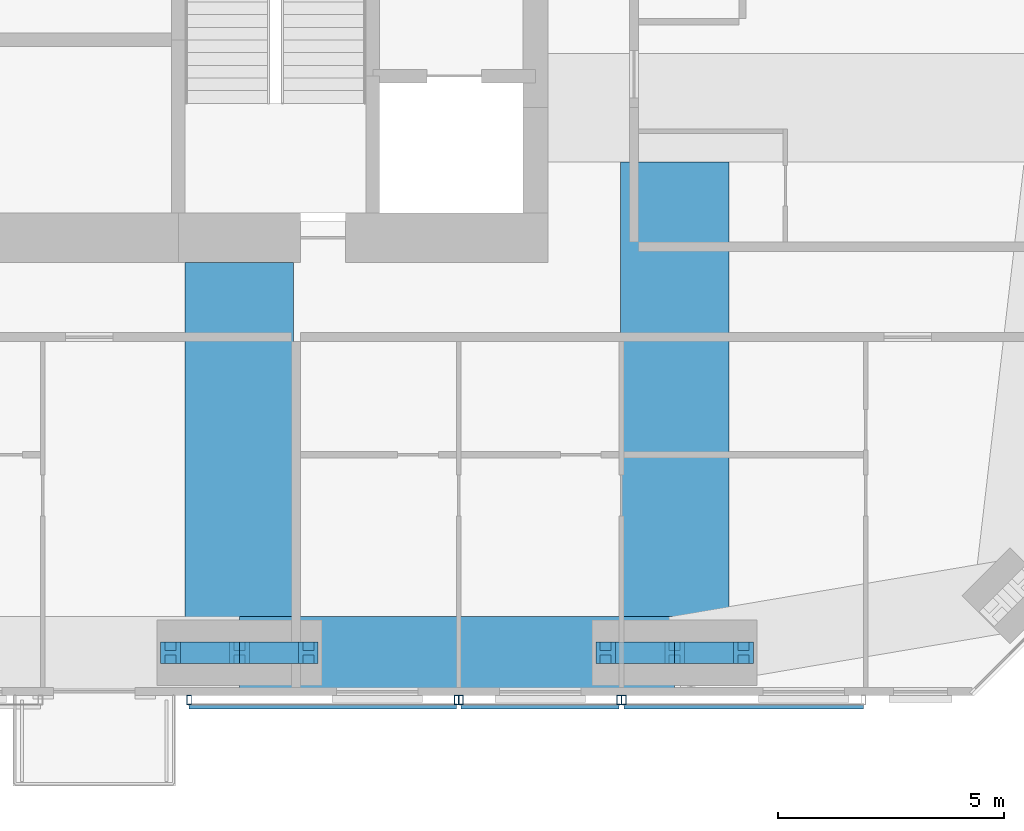
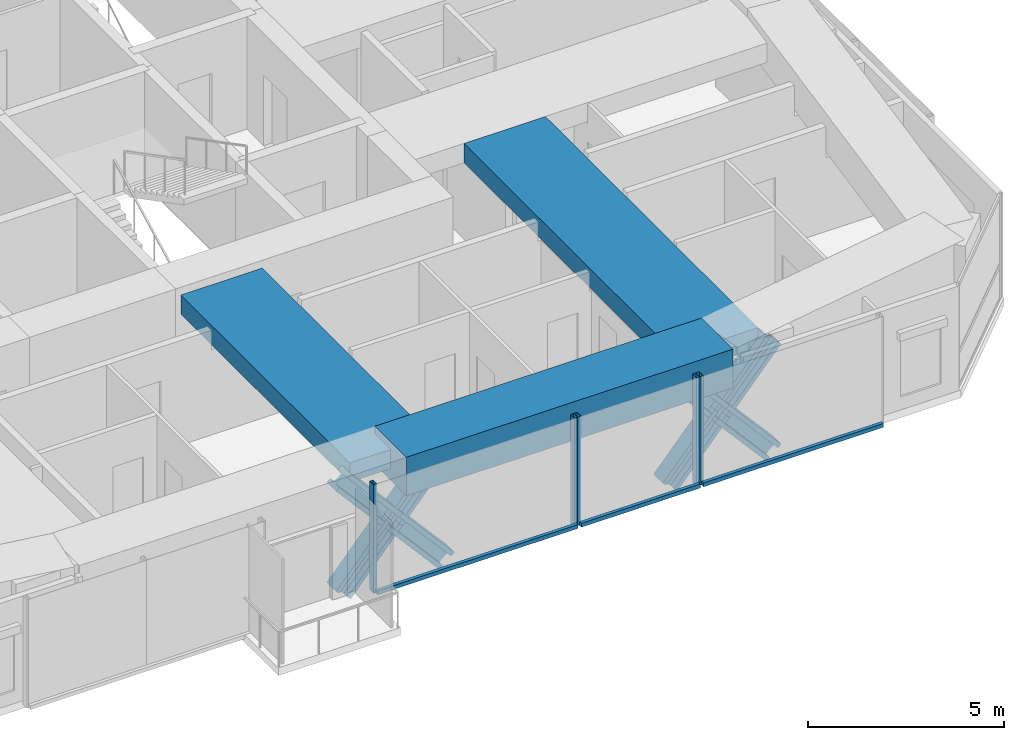
# One storey, part 4 of 18: 16 members, 3 beams, 3 elements without a shape of their own.
"""IFC4 building model written with IfcOpenShell, lengths in metres."""

import ifcopenshell
import ifcopenshell.guid

model = None  # the IFC model being written
_history = None  # IfcOwnerHistory: only IFC2X3 demands one
_inside = {}  # id of a spatial element -> (the spatial element, [elements in it])
_under = {}  # id of a project, library or spatial element -> (it, [spatial elements below it])
_declared = {}  # id of a project -> (the project, [libraries it declares])
_typed = {}  # id of a type object -> (the type object, [elements of that type])
_made_of = {}  # id of a material, layer set ... -> (it, [elements and type objects made of it])


def new_model(schema):
    """Start an empty IFC model of exactly this schema.

    Asked for "IFC4X3", IfcOpenShell would pick the latest addendum, in which some entities
    have other attributes; the version numbers below select the first issue.
    IFC2X3 requires an IfcOwnerHistory on every rooted entity: one is made here for all.
    """
    global model, _history
    if schema == "IFC4X3":
        model = ifcopenshell.file(schema_version=(4, 3, 0, 0))
    else:
        model = ifcopenshell.file(schema=schema)
    _inside.clear()
    _under.clear()
    _declared.clear()
    _typed.clear()
    _made_of.clear()
    _history = None
    if model.schema == "IFC2X3":
        org = make("IfcOrganization", Name="unknown")
        user = make(
            "IfcPersonAndOrganization",
            ThePerson=make("IfcPerson", FamilyName="unknown"),
            TheOrganization=org,
        )
        app = make(
            "IfcApplication",
            ApplicationDeveloper=org,
            Version="unknown",
            ApplicationFullName="unknown",
            ApplicationIdentifier="unknown",
        )
        _history = make(
            "IfcOwnerHistory",
            OwningUser=user,
            OwningApplication=app,
            ChangeAction="ADDED",
            CreationDate=0,
        )
    return model


def make(cls, **values):
    """One entity of the class cls with the attributes given. An attribute that is None is left unset."""
    return model.create_entity(
        cls, **{name: value for name, value in values.items() if value is not None}
    )


def rooted(cls, **values):
    """An entity with a GlobalId (a new one), such as an element, a storey or a relation."""
    return make(cls, GlobalId=ifcopenshell.guid.new(), OwnerHistory=_history, **values)


def si_unit(unit_type, name, prefix=None):
    """IfcSIUnit, for example si_unit("LENGTHUNIT", "METRE", prefix="MILLI")."""
    return make("IfcSIUnit", UnitType=unit_type, Prefix=prefix, Name=name)


def assignment(units):
    """IfcUnitAssignment: the units of a project."""
    return None if units is None else make("IfcUnitAssignment", Units=units)


def point(xyz):
    """IfcCartesianPoint."""
    return None if xyz is None else make("IfcCartesianPoint", Coordinates=xyz)


def direction(xyz):
    """IfcDirection."""
    return None if xyz is None else make("IfcDirection", DirectionRatios=xyz)


def frame(location, z_axis=None, x_axis=None):
    """IfcAxis2Placement3D, a coordinate frame: its origin and axes. An axis left out is left unset."""
    return make(
        "IfcAxis2Placement3D",
        Location=point(location),
        Axis=direction(z_axis),
        RefDirection=direction(x_axis),
    )


def frame_2d(location, x_axis=None):
    """IfcAxis2Placement2D, a coordinate frame in the plane: its origin and x axis."""
    return make(
        "IfcAxis2Placement2D", Location=point(location), RefDirection=direction(x_axis)
    )


def origin():
    """The frame at (0, 0, 0) with its axes left unset."""
    return frame((0.0, 0.0, 0.0))


def origin_2d():
    """The frame at (0, 0) in the plane with its x axis left unset."""
    return frame_2d((0.0, 0.0))


def place(relative_to, where):
    """IfcLocalPlacement: puts the frame where relative to a parent placement (None: the world)."""
    return make(
        "IfcLocalPlacement", PlacementRelTo=relative_to, RelativePlacement=where
    )


def context(
    kind, dimensions, precision=None, world=None, true_north=None, identifier=None
):
    """IfcGeometricRepresentationContext, for example the 3D "Model" context."""
    return make(
        "IfcGeometricRepresentationContext",
        ContextIdentifier=identifier,
        ContextType=kind,
        CoordinateSpaceDimension=dimensions,
        Precision=precision,
        WorldCoordinateSystem=world,
        TrueNorth=true_north,
    )


def subcontext(parent, identifier, kind, view, scale=None):
    """IfcGeometricRepresentationSubContext, for example "Body" below "Model"."""
    return make(
        "IfcGeometricRepresentationSubContext",
        ContextIdentifier=identifier,
        ContextType=kind,
        ParentContext=parent,
        TargetScale=scale,
        TargetView=view,
    )


def project(units=None, contexts=None):
    """IfcProject with its units and contexts."""
    return rooted(
        "IfcProject",
        Name="project",
        RepresentationContexts=contexts,
        UnitsInContext=assignment(units),
    )


def spatial(cls, under=None, at=None, **own):
    """A site, building, storey or space (cls), placed at a placement, below another one or the project."""
    s = rooted(cls, ObjectPlacement=at, **own)
    if under is not None:
        _under.setdefault(under.id(), (under, []))[1].append(s)
    return s


def profile(cls, at=None, kind="AREA", **sizes):
    """A parametric profile (cls). Its sizes go by their IFC names, for example OverallWidth=200.0."""
    return make(cls, ProfileType=kind, Position=at, **sizes)


def rectangle(**sizes):
    """IfcRectangleProfileDef."""
    return profile("IfcRectangleProfileDef", **sizes)


def hollow_rectangle(**sizes):
    """IfcRectangleHollowProfileDef."""
    return profile("IfcRectangleHollowProfileDef", **sizes)


def i_section(**sizes):
    """IfcIShapeProfileDef."""
    return profile("IfcIShapeProfileDef", **sizes)


def extrude(swept, where, along, depth):
    """IfcExtrudedAreaSolid: the profile swept, set in the frame where, extruded along a direction by depth."""
    return make(
        "IfcExtrudedAreaSolid",
        SweptArea=swept,
        Position=where,
        ExtrudedDirection=direction(along),
        Depth=depth,
    )


def shape(context_of_items, identifier, shape_type, items):
    """IfcShapeRepresentation: the items that make up one representation, for example the "Body"."""
    return make(
        "IfcShapeRepresentation",
        ContextOfItems=context_of_items,
        RepresentationIdentifier=identifier,
        RepresentationType=shape_type,
        Items=items,
    )


def material(Name=None, Category=None):
    """IfcMaterial."""
    return make("IfcMaterial", Name=Name, Category=Category)


def material_profile(
    of_material, cross_section, Name=None, Category=None, Priority=None
):
    """IfcMaterialProfile: a cross section and its material."""
    return make(
        "IfcMaterialProfile",
        Name=Name,
        Material=of_material,
        Profile=cross_section,
        Priority=Priority,
        Category=Category,
    )


def profile_set(profiles, Name=None, composite=None):
    """IfcMaterialProfileSet."""
    return make(
        "IfcMaterialProfileSet",
        Name=Name,
        MaterialProfiles=profiles,
        CompositeProfile=composite,
    )


def made_of(thing, what):
    """Note that an element or type object is made of a material, layer set ...; save() writes the relation."""
    if what is not None:
        _made_of.setdefault(what.id(), (what, []))[1].append(thing)
    return thing


def type_object(cls, material=None, **own):
    """A type object (cls), such as IfcWallType, which elements share."""
    return made_of(rooted(cls, **own), material)


def element(
    cls,
    number,
    at=None,
    inside=None,
    cuts=None,
    type_object=None,
    material=None,
    context=None,
    identifier="Body",
    shape_type=None,
    held_by="IfcProductDefinitionShape",
    body=None,
    shapes=None,
    **own,
):
    """One element of the class cls, such as IfcWall. Its Tag is "e" and its number.

    at: its placement. inside: the storey or other place that contains it. cuts: it is an
    opening in that element (IfcRelVoidsElement). A single representation is given by context,
    identifier, shape_type and body (its items); several are given by shapes. held_by: the class
    of the entity that holds the representations. save() writes the other relations.
    """
    e = rooted(cls, Tag="e%d" % number, ObjectPlacement=at, **own)
    if body is not None:
        shapes = [shape(context, identifier, shape_type, body)]
    if shapes is not None:
        e.Representation = make(held_by, Representations=shapes)
    if inside is not None:
        _inside.setdefault(inside.id(), (inside, []))[1].append(e)
    if cuts is not None:
        rooted(
            "IfcRelVoidsElement", RelatingBuildingElement=cuts, RelatedOpeningElement=e
        )
    if type_object is not None:
        _typed.setdefault(type_object.id(), (type_object, []))[1].append(e)
    return made_of(e, material)


def aggregate(whole, parts):
    """IfcRelAggregates: a whole, such as a stair, and the parts it consists of."""
    return rooted("IfcRelAggregates", RelatingObject=whole, RelatedObjects=parts)


def save(model, path):
    """Write the relations noted so far, then the file.

    IfcRelAggregates (storeys below a building ...), IfcRelContainedInSpatialStructure (elements
    in a storey), IfcRelDefinesByType, IfcRelAssociatesMaterial and IfcRelDeclares: one each for
    every whole, place, type object, material and project.
    """
    for whole, parts in _under.values():
        aggregate(whole, parts)
    for where, things in _inside.values():
        rooted(
            "IfcRelContainedInSpatialStructure",
            RelatedElements=things,
            RelatingStructure=where,
        )
    for kind, things in _typed.values():
        rooted("IfcRelDefinesByType", RelatedObjects=things, RelatingType=kind)
    for what, things in _made_of.values():
        rooted("IfcRelAssociatesMaterial", RelatedObjects=things, RelatingMaterial=what)
    for by, libraries in _declared.values():
        rooted("IfcRelDeclares", RelatingContext=by, RelatedDefinitions=libraries)
    model.write(path)


model = new_model("IFC4")

# Units and contexts
model_context = context("Model", 3, precision=1e-05, world=origin(), true_north=direction((0.0, 1.0)))
body_context = subcontext(model_context, "Body", "Model", "MODEL_VIEW")
ifc_project = project(units=[si_unit("LENGTHUNIT", "METRE"), si_unit("AREAUNIT", "SQUARE_METRE"), si_unit("VOLUMEUNIT", "CUBIC_METRE"), si_unit("PLANEANGLEUNIT", "RADIAN"), si_unit("MASSUNIT", "GRAM", prefix="KILO")], contexts=[model_context])

# Site, building, storey
site_placement = place(None, origin())
site = spatial("IfcSite", under=ifc_project, at=site_placement, CompositionType="ELEMENT")
building_placement = place(site_placement, origin())
building = spatial("IfcBuilding", under=site, at=building_placement, Name="Jalousie Tower", CompositionType="ELEMENT")
storey_placement = place(building_placement, frame((0.0, 0.0, 228.449951171875)))
storey = spatial("IfcBuildingStorey", under=building, at=storey_placement, Name="L62", CompositionType="ELEMENT", Elevation=228.449951171875)

# Members
ifc_material_1 = material(Name="Steel ASTM A992 Grade 50", Category="steel")
ifc_material_profile_1 = material_profile(ifc_material_1, i_section(OverallWidth=0.472412109375, OverallDepth=0.5791015625, WebThickness=0.094970703125, FlangeThickness=0.1298828125, at=origin_2d()), Name="W14X808")
ifc_profile_set_1 = profile_set([ifc_material_profile_1], Name="Steel ASTM A992 Grade 50")
member_type_1 = type_object("IfcMemberType", Name="PERIMETER BRACE W14X808", PredefinedType="BRACE", material=ifc_profile_set_1)
for number, where, z_axis, x_axis, name in (
    (1, (35.72509765625, 0.949951171875, -0.599853515625), (0.65695436777, 0.0, 0.753930340726), (0.0, 1.0, 0.0), "Perimeter brace 03 L62 part 1"),
    (2, (37.25, 0.949951171875, 1.150146484375), (0.65695436777, 0.0, 0.753930340726), (0.0, 1.0, 0.0), "Perimeter brace 03 L62 part 2"),
    (3, (38.77490234375, 0.949951171875, -0.599853515625), (-0.65695436777, 0.0, 0.753930340726), (0.0, -1.0, 0.0), "Perimeter brace 03 L62 part 3"),
    (4, (37.25, 0.949951171875, 1.150146484375), (-0.65695436777, 0.0, 0.753930340726), (0.0, -1.0, 0.0), "Perimeter brace 03 L62 part 4"),
    (5, (45.35009765625, 0.949951171875, -0.599853515625), (0.65695436777, 0.0, 0.753930340726), (0.0, 1.0, 0.0), "Perimeter brace 04 L62 part 1"),
    (6, (46.875, 0.949951171875, 1.150146484375), (0.65695436777, 0.0, 0.753930340726), (0.0, 1.0, 0.0), "Perimeter brace 04 L62 part 2"),
    (7, (48.39990234375, 0.949951171875, -0.599853515625), (-0.65695436777, 0.0, 0.753930340726), (0.0, -1.0, 0.0), "Perimeter brace 04 L62 part 3"),
    (8, (46.875, 0.949951171875, 1.150146484375), (-0.65695436777, 0.0, 0.753930340726), (0.0, -1.0, 0.0), "Perimeter brace 04 L62 part 4"),
):
    element("IfcMember", number, at=place(storey_placement, frame(where, z_axis=z_axis, x_axis=x_axis)), inside=storey, type_object=member_type_1, Name=name, PredefinedType="BRACE", context=body_context, shape_type="SweptSolid", body=[
        extrude(i_section(OverallWidth=0.472412109375, OverallDepth=0.5791015625, WebThickness=0.094970703125, FlangeThickness=0.1298828125, at=origin_2d()), origin(), (0.0, 0.0, 1.0), 2.3212890625),
    ])

# Beams
ifc_material_2 = material(Name="Concrete f'c 40 MPa", Category="concrete")
ifc_material_profile_2 = material_profile(ifc_material_2, rectangle(XDim=1.60009765625, YDim=1.199951171875, at=origin_2d()), Name="RC 1600x1200")
ifc_profile_set_2 = profile_set([ifc_material_profile_2], Name="Concrete f'c 40 MPa")
beam_type_1 = type_object("IfcBeamType", Name="RC BEAM 1600x1200", PredefinedType="BEAM", material=ifc_profile_set_2)
beam_1_placement = place(storey_placement, frame((37.25, 0.949951171875, 2.900146484375), z_axis=(1.0, 0.0, 0.0), x_axis=(0.0, 1.0, 0.0)))
element("IfcBeam", 9, at=beam_1_placement, inside=storey, type_object=beam_type_1, Name="Edge band beam 03-04 under L63", PredefinedType="BEAM", context=body_context, shape_type="SweptSolid", body=[
    extrude(rectangle(XDim=1.60009765625, YDim=1.199951171875, at=origin_2d()), origin(), (0.0, 0.0, 1.0), 9.625),
])
ifc_material_3 = material(Name="Concrete f'c 40 MPa", Category="concrete")
ifc_material_profile_3 = material_profile(ifc_material_3, rectangle(XDim=2.39990234375, YDim=0.60009765625, at=origin_2d()), Name="RC 2400x600")
ifc_profile_set_3 = profile_set([ifc_material_profile_3], Name="Concrete f'c 40 MPa")
beam_type_2 = type_object("IfcBeamType", Name="RC BEAM 2400x600", PredefinedType="BEAM", material=ifc_profile_set_3)
beam_2_placement = place(storey_placement, frame((37.25, 0.949951171875, 2.9599609375), z_axis=(0.0, 1.0, 0.0), x_axis=(-1.0, 0.0, 0.0)))
element("IfcBeam", 10, at=beam_2_placement, inside=storey, type_object=beam_type_2, Name="Floor band beam under L63", PredefinedType="BEAM", context=body_context, shape_type="SweptSolid", body=[
    extrude(rectangle(XDim=2.39990234375, YDim=0.60009765625, at=origin_2d()), origin(), (0.0, 0.0, 1.0), 8.625),
])
beam_3_placement = place(storey_placement, frame((46.875, 0.949951171875, 2.9599609375), z_axis=(0.0, 1.0, 0.0), x_axis=(-1.0, 0.0, 0.0)))
element("IfcBeam", 11, at=beam_3_placement, inside=storey, type_object=beam_type_2, Name="Floor band beam under L63", PredefinedType="BEAM", context=body_context, shape_type="SweptSolid", body=[
    extrude(rectangle(XDim=2.39990234375, YDim=0.60009765625, at=origin_2d()), origin(), (0.0, 0.0, 1.0), 10.85009765625),
])

# Curtain wall, members
ifc_material_4 = material(Name="Perforated aluminium sheet", Category="aluminium")
curtain_wall_type = type_object("IfcCurtainWallType", Name="SOLAR SCREEN SS-2", PredefinedType="USERDEFINED", material=ifc_material_4)
curtain_wall_1_placement = place(storey_placement, origin())
curtain_wall_1 = element("IfcCurtainWall", 12, at=curtain_wall_1_placement, inside=storey, type_object=curtain_wall_type, Name="Solar screen L62", ObjectType="SOLAR SCREEN SS-2", PredefinedType="USERDEFINED")
ifc_material_5 = material(Name="Steel ASTM A500 Grade C", Category="steel")
ifc_material_profile_4 = material_profile(ifc_material_5, hollow_rectangle(XDim=0.1015625, YDim=0.203125, WallThickness=0.0078125, at=origin_2d()), Name="HSS8X4X5/16")
ifc_profile_set_4 = profile_set([ifc_material_profile_4], Name="Steel ASTM A500 Grade C")
member_type_2 = type_object("IfcMemberType", Name="SOLAR SCREEN SS-2 MULLION", PredefinedType="MULLION", material=ifc_profile_set_4)
member_1_placement = place(storey_placement, frame((36.139892578125, -0.0966796875, -0.119873046875), z_axis=(0.0, 0.0, 1.0), x_axis=(1.0, 0.0, 0.0)))
member_1 = element("IfcMember", 13, at=member_1_placement, type_object=member_type_2, Name="SS2 post 1", PredefinedType="MULLION", context=body_context, shape_type="SweptSolid", body=[
    extrude(hollow_rectangle(XDim=0.1015625, YDim=0.203125, WallThickness=0.0078125, at=origin_2d()), origin(), (0.0, 0.0, 1.0), 3.3798828125),
])
member_2_placement = place(storey_placement, frame((42.050048828125, -0.0966796875, -0.119873046875), z_axis=(0.0, 0.0, 1.0), x_axis=(1.0, 0.0, 0.0)))
member_2 = element("IfcMember", 14, at=member_2_placement, type_object=member_type_2, Name="SS2 post 2", PredefinedType="MULLION", context=body_context, shape_type="SweptSolid", body=[
    extrude(hollow_rectangle(XDim=0.1015625, YDim=0.203125, WallThickness=0.0078125, at=origin_2d()), origin(), (0.0, 0.0, 1.0), 3.3798828125),
])

curtain_wall_2_placement = place(storey_placement, origin())
curtain_wall_2 = element("IfcCurtainWall", 15, at=curtain_wall_2_placement, inside=storey, type_object=curtain_wall_type, Name="Solar screen L62", ObjectType="SOLAR SCREEN SS-2", PredefinedType="USERDEFINED")
member_3_placement = place(storey_placement, frame((42.14990234375, -0.0966796875, -0.119873046875), z_axis=(0.0, 0.0, 1.0), x_axis=(1.0, 0.0, 0.0)))
member_3 = element("IfcMember", 16, at=member_3_placement, type_object=member_type_2, Name="SS2 post 1", PredefinedType="MULLION", context=body_context, shape_type="SweptSolid", body=[
    extrude(hollow_rectangle(XDim=0.1015625, YDim=0.203125, WallThickness=0.0078125, at=origin_2d()), origin(), (0.0, 0.0, 1.0), 3.3798828125),
])
member_4_placement = place(storey_placement, frame((45.64990234375, -0.0966796875, -0.119873046875), z_axis=(0.0, 0.0, 1.0), x_axis=(1.0, 0.0, 0.0)))
member_4 = element("IfcMember", 17, at=member_4_placement, type_object=member_type_2, Name="SS2 post 2", PredefinedType="MULLION", context=body_context, shape_type="SweptSolid", body=[
    extrude(hollow_rectangle(XDim=0.1015625, YDim=0.203125, WallThickness=0.0078125, at=origin_2d()), origin(), (0.0, 0.0, 1.0), 3.3798828125),
])

# Curtain wall, member
curtain_wall_3_placement = place(storey_placement, origin())
curtain_wall_3 = element("IfcCurtainWall", 18, at=curtain_wall_3_placement, inside=storey, type_object=curtain_wall_type, Name="Solar screen L62", ObjectType="SOLAR SCREEN SS-2", PredefinedType="USERDEFINED")
member_5_placement = place(storey_placement, frame((45.75, -0.0966796875, -0.119873046875), z_axis=(0.0, 0.0, 1.0), x_axis=(1.0, 0.0, 0.0)))
member_5 = element("IfcMember", 19, at=member_5_placement, type_object=member_type_2, Name="SS2 post 1", PredefinedType="MULLION", context=body_context, shape_type="SweptSolid", body=[
    extrude(hollow_rectangle(XDim=0.1015625, YDim=0.203125, WallThickness=0.0078125, at=origin_2d()), origin(), (0.0, 0.0, 1.0), 3.3798828125),
])

# Member
ifc_material_6 = material(Name="Extruded aluminium screen rail", Category="aluminium")
ifc_material_profile_5 = material_profile(ifc_material_6, rectangle(XDim=0.1015625, YDim=0.1201171875, at=origin_2d()), Name="RAIL 102x120")
ifc_profile_set_5 = profile_set([ifc_material_profile_5], Name="Extruded aluminium screen rail")
member_type_3 = type_object("IfcMemberType", Name="SOLAR SCREEN SS-2 TRANSOM", PredefinedType="USERDEFINED", material=ifc_profile_set_5)
member_6_placement = place(storey_placement, frame((36.139892578125, -0.2490234375, -0.06005859375), z_axis=(1.0, 0.0, 0.0), x_axis=(0.0, 1.0, 0.0)))
member_6 = element("IfcMember", 20, at=member_6_placement, type_object=member_type_3, Name="SS2 rail", ObjectType="TRANSOM", PredefinedType="USERDEFINED", context=body_context, shape_type="SweptSolid", body=[
    extrude(rectangle(XDim=0.1015625, YDim=0.1201171875, at=origin_2d()), origin(), (0.0, 0.0, 1.0), 5.91015625),
])

aggregate(curtain_wall_1, [member_1, member_2, member_6])

member_7_placement = place(storey_placement, frame((42.14990234375, -0.2490234375, -0.06005859375), z_axis=(1.0, 0.0, 0.0), x_axis=(0.0, 1.0, 0.0)))
member_7 = element("IfcMember", 21, at=member_7_placement, type_object=member_type_3, Name="SS2 rail", ObjectType="TRANSOM", PredefinedType="USERDEFINED", context=body_context, shape_type="SweptSolid", body=[
    extrude(rectangle(XDim=0.1015625, YDim=0.1201171875, at=origin_2d()), origin(), (0.0, 0.0, 1.0), 3.5),
])

aggregate(curtain_wall_2, [member_3, member_4, member_7])

member_8_placement = place(storey_placement, frame((45.75, -0.2490234375, -0.06005859375), z_axis=(1.0, 0.0, 0.0), x_axis=(0.0, 1.0, 0.0)))
member_8 = element("IfcMember", 22, at=member_8_placement, type_object=member_type_3, Name="SS2 rail", ObjectType="TRANSOM", PredefinedType="USERDEFINED", context=body_context, shape_type="SweptSolid", body=[
    extrude(rectangle(XDim=0.1015625, YDim=0.1201171875, at=origin_2d()), origin(), (0.0, 0.0, 1.0), 5.300048828125),
])

aggregate(curtain_wall_3, [member_5, member_8])

save(model, "model.ifc")
